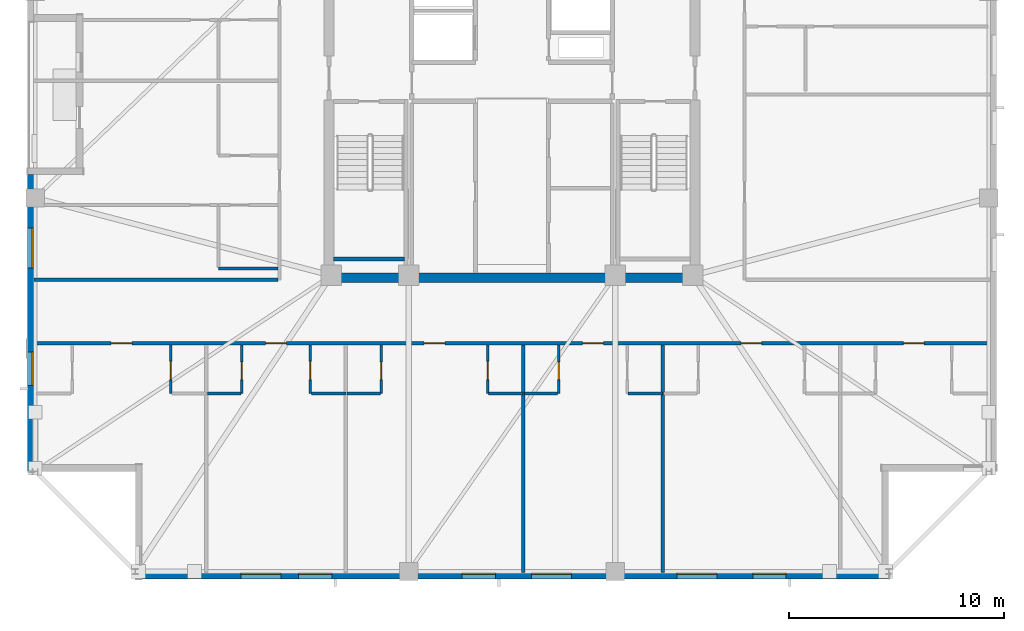
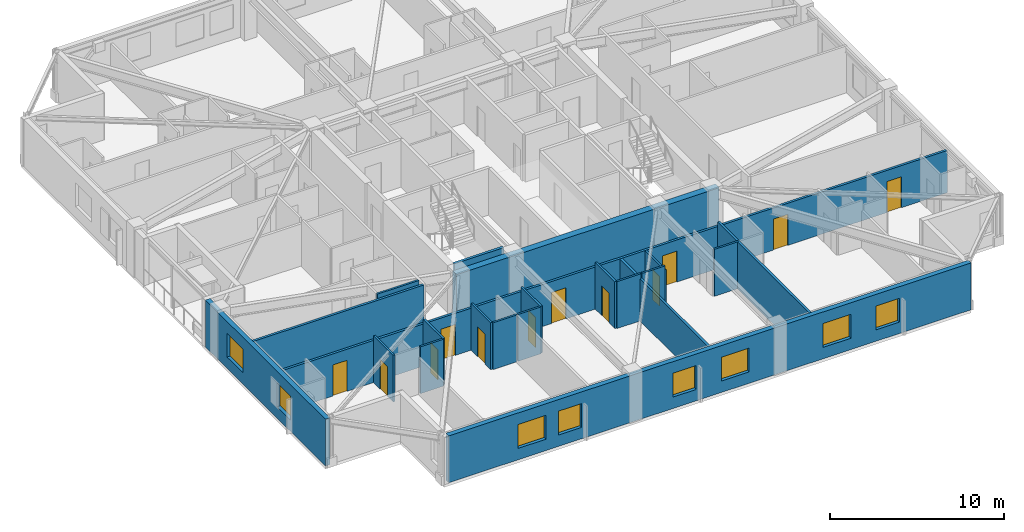
# One storey, part 7 of 17: 21 walls, 12 doors, 8 windows, 20 openings.
"""IFC4 building model written with IfcOpenShell, lengths in metres."""

from ifc_helpers import new_model, si_unit, direction, frame, frame_2d, origin, place, context, subcontext, project, spatial, rectangle, extrude, material, layer, layer_set, type_object, element, fill, save


model = new_model("IFC4")

# Units and contexts
model_context = context("Model", 3, precision=1e-05, world=origin(), true_north=direction((0.0, 1.0)))
body_context = subcontext(model_context, "Body", "Model", "MODEL_VIEW")
ifc_project = project(units=[si_unit("LENGTHUNIT", "METRE"), si_unit("AREAUNIT", "SQUARE_METRE"), si_unit("VOLUMEUNIT", "CUBIC_METRE"), si_unit("PLANEANGLEUNIT", "RADIAN"), si_unit("MASSUNIT", "GRAM", prefix="KILO")], contexts=[model_context])

# Site, building, storey
site_placement = place(None, origin())
site = spatial("IfcSite", under=ifc_project, at=site_placement, CompositionType="ELEMENT")
building_placement = place(site_placement, origin())
building = spatial("IfcBuilding", under=site, at=building_placement, Name="Cairnveth Concourse Tower", CompositionType="ELEMENT")
storey_placement = place(building_placement, frame((0.0, 0.0, 241.0)))
storey = spatial("IfcBuildingStorey", under=building, at=storey_placement, Name="L66", CompositionType="ELEMENT", Elevation=241.0)

# Wall, openings, doors
ifc_material_1 = material(Name="Gypsum Plasterboard Partition", Category="gypsum")
ifc_layer_1 = layer(ifc_material_1, 0.159912109375)
ifc_layer_set_1 = layer_set([ifc_layer_1], Name="Gypsum Plasterboard Partition")
wall_type_1 = type_object("IfcWallType", Name="ACOUSTIC PARTY WALL 180", PredefinedType="PARTITIONING", material=ifc_layer_set_1)
wall_1_placement = place(storey_placement, frame((29.804931640625, 27.4423828125, 0.0), z_axis=(0.0, 0.0, 1.0), x_axis=(1.0, 0.0, 0.0)))
wall_1 = element("IfcWall", 1, at=wall_1_placement, inside=storey, type_object=wall_type_1, Name="Interior Wall IW-L66-034", PredefinedType="PARTITIONING", context=body_context, shape_type="SweptSolid", body=[
    extrude(rectangle(XDim=44.39013671875, YDim=0.159912109375, at=frame_2d((22.195068359375, 0.0))), origin(), (0.0, 0.0, 1.0), 2.9580078125),
])
opening_1_placement = place(wall_1_placement, frame((3.574951171875, 0.0, 0.0)))
opening_1 = element("IfcOpeningElement", 2, at=opening_1_placement, cuts=wall_1, Name="Opening ID10", PredefinedType="OPENING", context=body_context, shape_type="SweptSolid", body=[
    extrude(rectangle(XDim=0.9599609375, YDim=2.179931640625, at=frame_2d((0.47998046875, 1.08984375))), frame((0.0, 0.08984375, 0.0), z_axis=(0.0, -1.0, 0.0), x_axis=(1.0, 0.0, 0.0)), (0.0, 0.0, 1.0), 0.179931640625),
])
opening_2_placement = place(wall_1_placement, frame((10.7548828125, 0.0, 0.0)))
opening_2 = element("IfcOpeningElement", 3, at=opening_2_placement, cuts=wall_1, Name="Opening ID10", PredefinedType="OPENING", context=body_context, shape_type="SweptSolid", body=[
    extrude(rectangle(XDim=0.9599609375, YDim=2.179931640625, at=frame_2d((0.47998046875, 1.08984375))), frame((0.0, 0.08984375, 0.0), z_axis=(0.0, -1.0, 0.0), x_axis=(1.0, 0.0, 0.0)), (0.0, 0.0, 1.0), 0.179931640625),
])
opening_3_placement = place(wall_1_placement, frame((18.114990234375, 0.0, 0.0)))
opening_3 = element("IfcOpeningElement", 4, at=opening_3_placement, cuts=wall_1, Name="Opening ID10", PredefinedType="OPENING", context=body_context, shape_type="SweptSolid", body=[
    extrude(rectangle(XDim=0.9599609375, YDim=2.179931640625, at=frame_2d((0.47998046875, 1.08984375))), frame((0.0, 0.08984375, 0.0), z_axis=(0.0, -1.0, 0.0), x_axis=(1.0, 0.0, 0.0)), (0.0, 0.0, 1.0), 0.179931640625),
])
opening_4_placement = place(wall_1_placement, frame((25.47509765625, 0.0, 0.0)))
opening_4 = element("IfcOpeningElement", 5, at=opening_4_placement, cuts=wall_1, Name="Opening ID10", PredefinedType="OPENING", context=body_context, shape_type="SweptSolid", body=[
    extrude(rectangle(XDim=0.9599609375, YDim=2.179931640625, at=frame_2d((0.47998046875, 1.08984375))), frame((0.0, 0.08984375, 0.0), z_axis=(0.0, -1.0, 0.0), x_axis=(1.0, 0.0, 0.0)), (0.0, 0.0, 1.0), 0.179931640625),
])
opening_5_placement = place(wall_1_placement, frame((32.8349609375, 0.0, 0.0)))
opening_5 = element("IfcOpeningElement", 6, at=opening_5_placement, cuts=wall_1, Name="Opening ID10", PredefinedType="OPENING", context=body_context, shape_type="SweptSolid", body=[
    extrude(rectangle(XDim=0.9599609375, YDim=2.179931640625, at=frame_2d((0.47998046875, 1.08984375))), frame((0.0, 0.08984375, 0.0), z_axis=(0.0, -1.0, 0.0), x_axis=(1.0, 0.0, 0.0)), (0.0, 0.0, 1.0), 0.179931640625),
])
opening_6_placement = place(wall_1_placement, frame((40.375, 0.0, 0.0)))
opening_6 = element("IfcOpeningElement", 7, at=opening_6_placement, cuts=wall_1, Name="Opening ID10", PredefinedType="OPENING", context=body_context, shape_type="SweptSolid", body=[
    extrude(rectangle(XDim=0.9599609375, YDim=2.179931640625, at=frame_2d((0.47998046875, 1.08984375))), frame((0.0, 0.08984375, 0.0), z_axis=(0.0, -1.0, 0.0), x_axis=(1.0, 0.0, 0.0)), (0.0, 0.0, 1.0), 0.179931640625),
])
ifc_material_2 = material(Name="Solid Core Hardwood Timber Leaf", Category="wood")
door_type_1 = type_object("IfcDoorType", Name="FLAT ENTRANCE DOOR 960X2150", OperationType="NOTDEFINED", PredefinedType="DOOR", material=ifc_material_2)
door_1_placement = place(opening_1_placement, origin())
door_1 = element("IfcDoor", 8, at=door_1_placement, inside=storey, type_object=door_type_1, Name="Studio L66STS1 Entrance Door", OperationType="SINGLE_SWING_LEFT", OverallHeight=2.179931640625, OverallWidth=0.9599609375, PredefinedType="DOOR", context=body_context, shape_type="SweptSolid", body=[
    extrude(rectangle(XDim=0.9599609375, YDim=2.179931640625, at=frame_2d((0.47998046875, 1.08984375))), frame((0.0, 0.02490234375, 0.0), z_axis=(0.0, -1.0, 0.0), x_axis=(1.0, 0.0, 0.0)), (0.0, 0.0, 1.0), 0.050048828125),
])
fill(opening_1, door_1)
door_2_placement = place(opening_2_placement, origin())
door_2 = element("IfcDoor", 9, at=door_2_placement, inside=storey, type_object=door_type_1, Name="Studio L66STS2 Entrance Door", OperationType="SINGLE_SWING_RIGHT", OverallHeight=2.179931640625, OverallWidth=0.9599609375, PredefinedType="DOOR", context=body_context, shape_type="SweptSolid", body=[
    extrude(rectangle(XDim=0.9599609375, YDim=2.179931640625, at=frame_2d((0.47998046875, 1.08984375))), frame((0.0, 0.02490234375, 0.0), z_axis=(0.0, -1.0, 0.0), x_axis=(1.0, 0.0, 0.0)), (0.0, 0.0, 1.0), 0.050048828125),
])
fill(opening_2, door_2)
door_3_placement = place(opening_3_placement, origin())
door_3 = element("IfcDoor", 10, at=door_3_placement, inside=storey, type_object=door_type_1, Name="Studio L66STS3 Entrance Door", OperationType="SINGLE_SWING_LEFT", OverallHeight=2.179931640625, OverallWidth=0.9599609375, PredefinedType="DOOR", context=body_context, shape_type="SweptSolid", body=[
    extrude(rectangle(XDim=0.9599609375, YDim=2.179931640625, at=frame_2d((0.47998046875, 1.08984375))), frame((0.0, 0.02490234375, 0.0), z_axis=(0.0, -1.0, 0.0), x_axis=(1.0, 0.0, 0.0)), (0.0, 0.0, 1.0), 0.050048828125),
])
fill(opening_3, door_3)
door_4_placement = place(opening_4_placement, origin())
door_4 = element("IfcDoor", 11, at=door_4_placement, inside=storey, type_object=door_type_1, Name="Studio L66STS4 Entrance Door", OperationType="SINGLE_SWING_RIGHT", OverallHeight=2.179931640625, OverallWidth=0.9599609375, PredefinedType="DOOR", context=body_context, shape_type="SweptSolid", body=[
    extrude(rectangle(XDim=0.9599609375, YDim=2.179931640625, at=frame_2d((0.47998046875, 1.08984375))), frame((0.0, 0.02490234375, 0.0), z_axis=(0.0, -1.0, 0.0), x_axis=(1.0, 0.0, 0.0)), (0.0, 0.0, 1.0), 0.050048828125),
])
fill(opening_4, door_4)
door_5_placement = place(opening_5_placement, origin())
door_5 = element("IfcDoor", 12, at=door_5_placement, inside=storey, type_object=door_type_1, Name="Studio L66STS5 Entrance Door", OperationType="SINGLE_SWING_LEFT", OverallHeight=2.179931640625, OverallWidth=0.9599609375, PredefinedType="DOOR", context=body_context, shape_type="SweptSolid", body=[
    extrude(rectangle(XDim=0.9599609375, YDim=2.179931640625, at=frame_2d((0.47998046875, 1.08984375))), frame((0.0, 0.02490234375, 0.0), z_axis=(0.0, -1.0, 0.0), x_axis=(1.0, 0.0, 0.0)), (0.0, 0.0, 1.0), 0.050048828125),
])
fill(opening_5, door_5)
door_6_placement = place(opening_6_placement, origin())
door_6 = element("IfcDoor", 13, at=door_6_placement, inside=storey, type_object=door_type_1, Name="Studio L66STS6 Entrance Door", OperationType="SINGLE_SWING_RIGHT", OverallHeight=2.179931640625, OverallWidth=0.9599609375, PredefinedType="DOOR", context=body_context, shape_type="SweptSolid", body=[
    extrude(rectangle(XDim=0.9599609375, YDim=2.179931640625, at=frame_2d((0.47998046875, 1.08984375))), frame((0.0, 0.02490234375, 0.0), z_axis=(0.0, -1.0, 0.0), x_axis=(1.0, 0.0, 0.0)), (0.0, 0.0, 1.0), 0.050048828125),
])
fill(opening_6, door_6)

# Walls
wall_2_placement = place(storey_placement, frame((29.804931640625, 30.39990234375, 0.0), z_axis=(0.0, 0.0, 1.0), x_axis=(1.0, 0.0, 0.0)))
element("IfcWall", 14, at=wall_2_placement, inside=storey, type_object=wall_type_1, Name="Interior Wall IW-L66-038", PredefinedType="PARTITIONING", context=body_context, shape_type="SweptSolid", body=[
    extrude(rectangle(XDim=11.330078125, YDim=0.159912109375, at=frame_2d((5.6650390625, 0.0))), origin(), (0.0, 0.0, 1.0), 3.2900390625),
])
wall_3_placement = place(storey_placement, frame((52.52001953125, 16.804931640625, 0.0), z_axis=(0.0, 0.0, 1.0), x_axis=(0.0, 1.0, 0.0)))
element("IfcWall", 15, at=wall_3_placement, inside=storey, type_object=wall_type_1, Name="Interior Wall IW-L66-056", PredefinedType="PARTITIONING", context=body_context, shape_type="SweptSolid", body=[
    extrude(rectangle(XDim=10.5576171875, YDim=0.159912109375, at=frame_2d((5.27880859375, 0.0))), origin(), (0.0, 0.0, 1.0), 2.9580078125),
])
wall_4_placement = place(storey_placement, frame((59.0, 16.804931640625, 0.0), z_axis=(0.0, 0.0, 1.0), x_axis=(0.0, 1.0, 0.0)))
element("IfcWall", 16, at=wall_4_placement, inside=storey, type_object=wall_type_1, Name="Interior Wall IW-L66-061", PredefinedType="PARTITIONING", context=body_context, shape_type="SweptSolid", body=[
    extrude(rectangle(XDim=10.5576171875, YDim=0.159912109375, at=frame_2d((5.27880859375, 0.0))), origin(), (0.0, 0.0, 1.0), 3.2900390625),
])
ifc_material_3 = material(Name="Concrete N65 (65 MPa)", Category="concrete")
ifc_layer_2 = layer(ifc_material_3, 0.449951171875)
ifc_layer_set_2 = layer_set([ifc_layer_2], Name="Concrete N65 (65 MPa)")
wall_type_2 = type_object("IfcWallType", Name="CORE SHEAR WALL 450", PredefinedType="SHEAR", material=ifc_layer_set_2)
wall_5_placement = place(storey_placement, frame((43.27490234375, 30.5, 0.0), z_axis=(0.0, 0.0, 1.0), x_axis=(1.0, 0.0, 0.0)))
element("IfcWall", 17, at=wall_5_placement, inside=storey, type_object=wall_type_2, Name="Core South Shear Wall L66", PredefinedType="SHEAR", context=body_context, shape_type="SweptSolid", body=[
    extrude(rectangle(XDim=17.4501953125, YDim=0.449951171875, at=frame_2d((8.72509765625, 0.0))), origin(), (0.0, 0.0, 1.0), 3.2900390625),
])
ifc_material_4 = material(Name="Concrete N50 (50 MPa)", Category="concrete")
ifc_layer_3 = layer(ifc_material_4, 0.179931640625)
ifc_layer_set_3 = layer_set([ifc_layer_3], Name="Concrete N50 (50 MPa)")
wall_type_3 = type_object("IfcWallType", Name="FIRE SHAFT WALL 180", PredefinedType="SOLIDWALL", material=ifc_layer_set_3)
wall_6_placement = place(storey_placement, frame((43.715087890625, 31.360107421875, 0.0), z_axis=(0.0, 0.0, 1.0), x_axis=(1.0, 0.0, 0.0)))
element("IfcWall", 18, at=wall_6_placement, inside=storey, type_object=wall_type_3, Name="Stair ST-1 Shaft Wall FAR L66", PredefinedType="SOLIDWALL", context=body_context, shape_type="SweptSolid", body=[
    extrude(rectangle(XDim=3.280029296875, YDim=0.179931640625, at=frame_2d((1.64013671875, 0.0))), origin(), (0.0, 0.0, 1.0), 3.2900390625),
])

# Wall, opening, door
ifc_layer_4 = layer(ifc_material_1, 0.1298828125)
ifc_layer_set_4 = layer_set([ifc_layer_4], Name="Gypsum Plasterboard Partition")
wall_type_4 = type_object("IfcWallType", Name="WET AREA PARTITION 140", PredefinedType="PLUMBINGWALL", material=ifc_layer_set_4)
wall_7_placement = place(storey_placement, frame((36.14990234375, 25.112548828125, 0.0), z_axis=(0.0, 0.0, 1.0), x_axis=(0.0, 1.0, 0.0)))
wall_7 = element("IfcWall", 19, at=wall_7_placement, inside=storey, type_object=wall_type_4, Name="Interior Wall IW-L66-044", PredefinedType="PLUMBINGWALL", context=body_context, shape_type="SweptSolid", body=[
    extrude(rectangle(XDim=2.25, YDim=0.1298828125, at=frame_2d((1.125, 0.0))), origin(), (0.0, 0.0, 1.0), 3.2900390625),
])
opening_7_placement = place(wall_7_placement, frame((0.64990234375, 0.0, 0.0)))
opening_7 = element("IfcOpeningElement", 20, at=opening_7_placement, cuts=wall_7, Name="Opening ID20", PredefinedType="OPENING", context=body_context, shape_type="SweptSolid", body=[
    extrude(rectangle(XDim=0.85009765625, YDim=2.10009765625, at=frame_2d((0.425048828125, 1.050048828125))), frame((0.0, 0.074951171875, 0.0), z_axis=(0.0, -1.0, 0.0), x_axis=(1.0, 0.0, 0.0)), (0.0, 0.0, 1.0), 0.14990234375),
])
door_type_2 = type_object("IfcDoorType", Name="INTERIOR SINGLE DOOR 850X2100", OperationType="NOTDEFINED", PredefinedType="DOOR", material=ifc_material_2)
door_7_placement = place(opening_7_placement, origin())
door_7 = element("IfcDoor", 21, at=door_7_placement, inside=storey, type_object=door_type_2, Name="L66STS1 Kitchen Door", OperationType="SINGLE_SWING_RIGHT", OverallHeight=2.10009765625, OverallWidth=0.85009765625, PredefinedType="DOOR", context=body_context, shape_type="SweptSolid", body=[
    extrude(rectangle(XDim=0.85009765625, YDim=2.10009765625, at=frame_2d((0.425048828125, 1.050048828125))), frame((0.0, 0.02490234375, 0.0), z_axis=(0.0, -1.0, 0.0), x_axis=(1.0, 0.0, 0.0)), (0.0, 0.0, 1.0), 0.050048828125),
])
fill(opening_7, door_7)

wall_8_placement = place(storey_placement, frame((39.449951171875, 25.112548828125, 0.0), z_axis=(0.0, 0.0, 1.0), x_axis=(0.0, 1.0, 0.0)))
wall_8 = element("IfcWall", 22, at=wall_8_placement, inside=storey, type_object=wall_type_4, Name="Interior Wall IW-L66-047", PredefinedType="PLUMBINGWALL", context=body_context, shape_type="SweptSolid", body=[
    extrude(rectangle(XDim=2.25, YDim=0.1298828125, at=frame_2d((1.125, 0.0))), origin(), (0.0, 0.0, 1.0), 3.2900390625),
])
opening_8_placement = place(wall_8_placement, frame((0.64990234375, 0.0, 0.0)))
opening_8 = element("IfcOpeningElement", 23, at=opening_8_placement, cuts=wall_8, Name="Opening ID22", PredefinedType="OPENING", context=body_context, shape_type="SweptSolid", body=[
    extrude(rectangle(XDim=0.820068359375, YDim=2.10009765625, at=frame_2d((0.41015625, 1.050048828125))), frame((0.0, 0.074951171875, 0.0), z_axis=(0.0, -1.0, 0.0), x_axis=(1.0, 0.0, 0.0)), (0.0, 0.0, 1.0), 0.14990234375),
])
door_type_3 = type_object("IfcDoorType", Name="INTERIOR WC DOOR 820X2100", OperationType="NOTDEFINED", PredefinedType="DOOR", material=ifc_material_2)
door_8_placement = place(opening_8_placement, origin())
door_8 = element("IfcDoor", 24, at=door_8_placement, inside=storey, type_object=door_type_3, Name="L66STS2 Bathroom Door", OperationType="SINGLE_SWING_RIGHT", OverallHeight=2.10009765625, OverallWidth=0.820068359375, PredefinedType="DOOR", context=body_context, shape_type="SweptSolid", body=[
    extrude(rectangle(XDim=0.820068359375, YDim=2.10009765625, at=frame_2d((0.41015625, 1.050048828125))), frame((0.0, 0.02490234375, 0.0), z_axis=(0.0, -1.0, 0.0), x_axis=(1.0, 0.0, 0.0)), (0.0, 0.0, 1.0), 0.050048828125),
])
fill(opening_8, door_8)

# Wall
wall_9_placement = place(storey_placement, frame((37.864990234375, 25.112548828125, 0.0), z_axis=(0.0, 0.0, 1.0), x_axis=(1.0, 0.0, 0.0)))
element("IfcWall", 25, at=wall_9_placement, inside=storey, type_object=wall_type_4, Name="Interior Wall IW-L66-048", PredefinedType="PLUMBINGWALL", context=body_context, shape_type="SweptSolid", body=[
    extrude(rectangle(XDim=1.534912109375, YDim=0.1298828125, at=frame_2d((0.767578125, 0.0))), origin(), (0.0, 0.0, 1.0), 3.2900390625),
])

# Wall, opening, door
wall_10_placement = place(storey_placement, frame((42.6298828125, 25.112548828125, 0.0), z_axis=(0.0, 0.0, 1.0), x_axis=(0.0, 1.0, 0.0)))
wall_10 = element("IfcWall", 26, at=wall_10_placement, inside=storey, type_object=wall_type_4, Name="Interior Wall IW-L66-049", PredefinedType="PLUMBINGWALL", context=body_context, shape_type="SweptSolid", body=[
    extrude(rectangle(XDim=2.25, YDim=0.1298828125, at=frame_2d((1.125, 0.0))), origin(), (0.0, 0.0, 1.0), 3.2900390625),
])
opening_9_placement = place(wall_10_placement, frame((0.64990234375, 0.0, 0.0)))
opening_9 = element("IfcOpeningElement", 27, at=opening_9_placement, cuts=wall_10, Name="Opening ID20", PredefinedType="OPENING", context=body_context, shape_type="SweptSolid", body=[
    extrude(rectangle(XDim=0.85009765625, YDim=2.10009765625, at=frame_2d((0.425048828125, 1.050048828125))), frame((0.0, 0.074951171875, 0.0), z_axis=(0.0, -1.0, 0.0), x_axis=(1.0, 0.0, 0.0)), (0.0, 0.0, 1.0), 0.14990234375),
])
door_9_placement = place(opening_9_placement, origin())
door_9 = element("IfcDoor", 28, at=door_9_placement, inside=storey, type_object=door_type_2, Name="L66STS2 Kitchen Door", OperationType="SINGLE_SWING_LEFT", OverallHeight=2.10009765625, OverallWidth=0.85009765625, PredefinedType="DOOR", context=body_context, shape_type="SweptSolid", body=[
    extrude(rectangle(XDim=0.85009765625, YDim=2.10009765625, at=frame_2d((0.425048828125, 1.050048828125))), frame((0.0, 0.02490234375, 0.0), z_axis=(0.0, -1.0, 0.0), x_axis=(1.0, 0.0, 0.0)), (0.0, 0.0, 1.0), 0.050048828125),
])
fill(opening_9, door_9)

# Wall
wall_11_placement = place(storey_placement, frame((42.679931640625, 25.112548828125, 0.0), z_axis=(0.0, 0.0, 1.0), x_axis=(1.0, 0.0, 0.0)))
element("IfcWall", 29, at=wall_11_placement, inside=storey, type_object=wall_type_4, Name="Interior Wall IW-L66-050", PredefinedType="PLUMBINGWALL", context=body_context, shape_type="SweptSolid", body=[
    extrude(rectangle(XDim=1.60009765625, YDim=0.1298828125, at=frame_2d((0.800048828125, 0.0))), origin(), (0.0, 0.0, 1.0), 3.2900390625),
])

# Wall, opening, door
wall_12_placement = place(storey_placement, frame((45.929931640625, 25.112548828125, 0.0), z_axis=(0.0, 0.0, 1.0), x_axis=(0.0, 1.0, 0.0)))
wall_12 = element("IfcWall", 30, at=wall_12_placement, inside=storey, type_object=wall_type_4, Name="Interior Wall IW-L66-052", PredefinedType="PLUMBINGWALL", context=body_context, shape_type="SweptSolid", body=[
    extrude(rectangle(XDim=2.25, YDim=0.1298828125, at=frame_2d((1.125, 0.0))), origin(), (0.0, 0.0, 1.0), 3.2900390625),
])
opening_10_placement = place(wall_12_placement, frame((0.64990234375, 0.0, 0.0)))
opening_10 = element("IfcOpeningElement", 31, at=opening_10_placement, cuts=wall_12, Name="Opening ID22", PredefinedType="OPENING", context=body_context, shape_type="SweptSolid", body=[
    extrude(rectangle(XDim=0.820068359375, YDim=2.10009765625, at=frame_2d((0.41015625, 1.050048828125))), frame((0.0, 0.074951171875, 0.0), z_axis=(0.0, -1.0, 0.0), x_axis=(1.0, 0.0, 0.0)), (0.0, 0.0, 1.0), 0.14990234375),
])
door_10_placement = place(opening_10_placement, origin())
door_10 = element("IfcDoor", 32, at=door_10_placement, inside=storey, type_object=door_type_3, Name="L66STS3 Bathroom Door", OperationType="SINGLE_SWING_LEFT", OverallHeight=2.10009765625, OverallWidth=0.820068359375, PredefinedType="DOOR", context=body_context, shape_type="SweptSolid", body=[
    extrude(rectangle(XDim=0.820068359375, YDim=2.10009765625, at=frame_2d((0.41015625, 1.050048828125))), frame((0.0, 0.02490234375, 0.0), z_axis=(0.0, -1.0, 0.0), x_axis=(1.0, 0.0, 0.0)), (0.0, 0.0, 1.0), 0.050048828125),
])
fill(opening_10, door_10)

# Wall
wall_13_placement = place(storey_placement, frame((44.344970703125, 25.112548828125, 0.0), z_axis=(0.0, 0.0, 1.0), x_axis=(1.0, 0.0, 0.0)))
element("IfcWall", 33, at=wall_13_placement, inside=storey, type_object=wall_type_4, Name="Interior Wall IW-L66-053", PredefinedType="PLUMBINGWALL", context=body_context, shape_type="SweptSolid", body=[
    extrude(rectangle(XDim=1.534912109375, YDim=0.1298828125, at=frame_2d((0.767578125, 0.0))), origin(), (0.0, 0.0, 1.0), 3.2900390625),
])

# Wall, opening, door
wall_14_placement = place(storey_placement, frame((50.8701171875, 25.112548828125, 0.0), z_axis=(0.0, 0.0, 1.0), x_axis=(0.0, 1.0, 0.0)))
wall_14 = element("IfcWall", 34, at=wall_14_placement, inside=storey, type_object=wall_type_4, Name="Interior Wall IW-L66-054", PredefinedType="PLUMBINGWALL", context=body_context, shape_type="SweptSolid", body=[
    extrude(rectangle(XDim=2.25, YDim=0.1298828125, at=frame_2d((1.125, 0.0))), origin(), (0.0, 0.0, 1.0), 3.2900390625),
])
opening_11_placement = place(wall_14_placement, frame((0.64990234375, 0.0, 0.0)))
opening_11 = element("IfcOpeningElement", 35, at=opening_11_placement, cuts=wall_14, Name="Opening ID20", PredefinedType="OPENING", context=body_context, shape_type="SweptSolid", body=[
    extrude(rectangle(XDim=0.85009765625, YDim=2.10009765625, at=frame_2d((0.425048828125, 1.050048828125))), frame((0.0, 0.074951171875, 0.0), z_axis=(0.0, -1.0, 0.0), x_axis=(1.0, 0.0, 0.0)), (0.0, 0.0, 1.0), 0.14990234375),
])
door_11_placement = place(opening_11_placement, origin())
door_11 = element("IfcDoor", 36, at=door_11_placement, inside=storey, type_object=door_type_2, Name="L66STS3 Kitchen Door", OperationType="SINGLE_SWING_RIGHT", OverallHeight=2.10009765625, OverallWidth=0.85009765625, PredefinedType="DOOR", context=body_context, shape_type="SweptSolid", body=[
    extrude(rectangle(XDim=0.85009765625, YDim=2.10009765625, at=frame_2d((0.425048828125, 1.050048828125))), frame((0.0, 0.02490234375, 0.0), z_axis=(0.0, -1.0, 0.0), x_axis=(1.0, 0.0, 0.0)), (0.0, 0.0, 1.0), 0.050048828125),
])
fill(opening_11, door_11)

# Wall
wall_15_placement = place(storey_placement, frame((50.919921875, 25.112548828125, 0.0), z_axis=(0.0, 0.0, 1.0), x_axis=(1.0, 0.0, 0.0)))
element("IfcWall", 37, at=wall_15_placement, inside=storey, type_object=wall_type_4, Name="Interior Wall IW-L66-055", PredefinedType="PLUMBINGWALL", context=body_context, shape_type="SweptSolid", body=[
    extrude(rectangle(XDim=1.60009765625, YDim=0.1298828125, at=frame_2d((0.800048828125, 0.0))), origin(), (0.0, 0.0, 1.0), 3.2900390625),
])

# Wall, opening, door
wall_16_placement = place(storey_placement, frame((54.169921875, 25.112548828125, 0.0), z_axis=(0.0, 0.0, 1.0), x_axis=(0.0, 1.0, 0.0)))
wall_16 = element("IfcWall", 38, at=wall_16_placement, inside=storey, type_object=wall_type_4, Name="Interior Wall IW-L66-057", PredefinedType="PLUMBINGWALL", context=body_context, shape_type="SweptSolid", body=[
    extrude(rectangle(XDim=2.25, YDim=0.1298828125, at=frame_2d((1.125, 0.0))), origin(), (0.0, 0.0, 1.0), 2.9580078125),
])
opening_12_placement = place(wall_16_placement, frame((0.64990234375, 0.0, 0.0)))
opening_12 = element("IfcOpeningElement", 39, at=opening_12_placement, cuts=wall_16, Name="Opening ID22", PredefinedType="OPENING", context=body_context, shape_type="SweptSolid", body=[
    extrude(rectangle(XDim=0.820068359375, YDim=2.10009765625, at=frame_2d((0.41015625, 1.050048828125))), frame((0.0, 0.074951171875, 0.0), z_axis=(0.0, -1.0, 0.0), x_axis=(1.0, 0.0, 0.0)), (0.0, 0.0, 1.0), 0.14990234375),
])
door_12_placement = place(opening_12_placement, origin())
door_12 = element("IfcDoor", 40, at=door_12_placement, inside=storey, type_object=door_type_3, Name="L66STS4 Bathroom Door", OperationType="SINGLE_SWING_RIGHT", OverallHeight=2.10009765625, OverallWidth=0.820068359375, PredefinedType="DOOR", context=body_context, shape_type="SweptSolid", body=[
    extrude(rectangle(XDim=0.820068359375, YDim=2.10009765625, at=frame_2d((0.41015625, 1.050048828125))), frame((0.0, 0.02490234375, 0.0), z_axis=(0.0, -1.0, 0.0), x_axis=(1.0, 0.0, 0.0)), (0.0, 0.0, 1.0), 0.050048828125),
])
fill(opening_12, door_12)

# Walls
wall_17_placement = place(storey_placement, frame((52.5849609375, 25.112548828125, 0.0), z_axis=(0.0, 0.0, 1.0), x_axis=(1.0, 0.0, 0.0)))
element("IfcWall", 41, at=wall_17_placement, inside=storey, type_object=wall_type_4, Name="Interior Wall IW-L66-058", PredefinedType="PLUMBINGWALL", context=body_context, shape_type="SweptSolid", body=[
    extrude(rectangle(XDim=1.53515625, YDim=0.1298828125, at=frame_2d((0.767578125, 0.0))), origin(), (0.0, 0.0, 1.0), 3.2900390625),
])
wall_18_placement = place(storey_placement, frame((57.39990234375, 25.112548828125, 0.0), z_axis=(0.0, 0.0, 1.0), x_axis=(1.0, 0.0, 0.0)))
element("IfcWall", 42, at=wall_18_placement, inside=storey, type_object=wall_type_4, Name="Interior Wall IW-L66-060", PredefinedType="PLUMBINGWALL", context=body_context, shape_type="SweptSolid", body=[
    extrude(rectangle(XDim=1.60009765625, YDim=0.1298828125, at=frame_2d((0.800048828125, 0.0))), origin(), (0.0, 0.0, 1.0), 3.2900390625),
])
wall_19_placement = place(storey_placement, frame((38.3701171875, 30.925048828125, 0.0), z_axis=(0.0, 0.0, 1.0), x_axis=(1.0, 0.0, 0.0)))
element("IfcWall", 43, at=wall_19_placement, inside=storey, type_object=wall_type_4, Name="Interior Wall IW-L66-096", PredefinedType="PLUMBINGWALL", context=body_context, shape_type="SweptSolid", body=[
    extrude(rectangle(XDim=2.75, YDim=0.1298828125, at=frame_2d((1.375, 0.0))), origin(), (0.0, 0.0, 1.0), 3.2900390625),
])

# Wall, openings, windows
ifc_material_5 = material(Name="Melbourne Buff Fired Clay Brick Masonry", Category="masonry")
ifc_layer_5 = layer(ifc_material_5, 0.320068359375)
ifc_layer_set_5 = layer_set([ifc_layer_5], Name="Melbourne Buff Fired Clay Brick Masonry")
wall_type_5 = type_object("IfcWallType", Name="ZONE 3 BRICK PIER SPANDREL WALL 320", PredefinedType="SOLIDWALL", material=ifc_layer_set_5)
wall_20_placement = place(storey_placement, frame((69.5, 16.659912109375, 0.0), z_axis=(0.0, 0.0, 1.0), x_axis=(-1.0, 0.0, 0.0)))
wall_20 = element("IfcWall", 44, at=wall_20_placement, inside=storey, type_object=wall_type_5, Name="Exterior Wall EW-L66-S09", PredefinedType="SOLIDWALL", context=body_context, shape_type="SweptSolid", body=[
    extrude(rectangle(XDim=34.701904296875, YDim=0.320068359375, at=frame_2d((17.35107421875, 0.0))), origin(), (0.0, 0.0, 1.0), 3.2900390625),
])
opening_13_placement = place(wall_20_placement, frame((4.7626953125, 0.0, 0.800048828125)))
opening_13 = element("IfcOpeningElement", 45, at=opening_13_placement, cuts=wall_20, Name="Opening W07", PredefinedType="OPENING", context=body_context, shape_type="SweptSolid", body=[
    extrude(rectangle(XDim=1.550048828125, YDim=1.677978515625, at=frame_2d((0.77490234375, 0.8388671875))), frame((0.0, 0.169921875, 0.0), z_axis=(0.0, -1.0, 0.0), x_axis=(1.0, 0.0, 0.0)), (0.0, 0.0, 1.0), 0.340087890625),
])
opening_14_placement = place(wall_20_placement, frame((7.98779296875, 0.0, 0.800048828125)))
opening_14 = element("IfcOpeningElement", 46, at=opening_14_placement, cuts=wall_20, Name="Opening W08", PredefinedType="OPENING", context=body_context, shape_type="SweptSolid", body=[
    extrude(rectangle(XDim=1.85009765625, YDim=1.677978515625, at=frame_2d((0.925048828125, 0.8388671875))), frame((0.0, 0.169921875, 0.0), z_axis=(0.0, -1.0, 0.0), x_axis=(1.0, 0.0, 0.0)), (0.0, 0.0, 1.0), 0.340087890625),
])
opening_15_placement = place(wall_20_placement, frame((14.73828125, 0.0, 0.800048828125)))
opening_15 = element("IfcOpeningElement", 47, at=opening_15_placement, cuts=wall_20, Name="Opening W08", PredefinedType="OPENING", context=body_context, shape_type="SweptSolid", body=[
    extrude(rectangle(XDim=1.85009765625, YDim=1.677978515625, at=frame_2d((0.925048828125, 0.8388671875))), frame((0.0, 0.169921875, 0.0), z_axis=(0.0, -1.0, 0.0), x_axis=(1.0, 0.0, 0.0)), (0.0, 0.0, 1.0), 0.340087890625),
])
opening_16_placement = place(wall_20_placement, frame((18.263671875, 0.0, 0.800048828125)))
opening_16 = element("IfcOpeningElement", 48, at=opening_16_placement, cuts=wall_20, Name="Opening W07", PredefinedType="OPENING", context=body_context, shape_type="SweptSolid", body=[
    extrude(rectangle(XDim=1.550048828125, YDim=1.677978515625, at=frame_2d((0.77490234375, 0.8388671875))), frame((0.0, 0.169921875, 0.0), z_axis=(0.0, -1.0, 0.0), x_axis=(1.0, 0.0, 0.0)), (0.0, 0.0, 1.0), 0.340087890625),
])
opening_17_placement = place(wall_20_placement, frame((25.864013671875, 0.0, 0.800048828125)))
opening_17 = element("IfcOpeningElement", 49, at=opening_17_placement, cuts=wall_20, Name="Opening W07", PredefinedType="OPENING", context=body_context, shape_type="SweptSolid", body=[
    extrude(rectangle(XDim=1.550048828125, YDim=1.677978515625, at=frame_2d((0.77490234375, 0.8388671875))), frame((0.0, 0.169921875, 0.0), z_axis=(0.0, -1.0, 0.0), x_axis=(1.0, 0.0, 0.0)), (0.0, 0.0, 1.0), 0.340087890625),
])
opening_18_placement = place(wall_20_placement, frame((28.239501953125, 0.0, 0.800048828125)))
opening_18 = element("IfcOpeningElement", 50, at=opening_18_placement, cuts=wall_20, Name="Opening W08", PredefinedType="OPENING", context=body_context, shape_type="SweptSolid", body=[
    extrude(rectangle(XDim=1.85009765625, YDim=1.677978515625, at=frame_2d((0.925048828125, 0.8388671875))), frame((0.0, 0.169921875, 0.0), z_axis=(0.0, -1.0, 0.0), x_axis=(1.0, 0.0, 0.0)), (0.0, 0.0, 1.0), 0.340087890625),
])
ifc_material_6 = material(Name="Double Glazed Low-E Clear Glass", Category="glass")
window_type_1 = type_object("IfcWindowType", Name="DEEP-SET APARTMENT LIVING WINDOW 1850X1850", PartitioningType="DOUBLE_PANEL_VERTICAL", PredefinedType="WINDOW", material=ifc_material_6)
window_1_placement = place(opening_14_placement, origin())
window_1 = element("IfcWindow", 51, at=window_1_placement, inside=storey, type_object=window_type_1, Name="Gothic Lancet Window L66-9-2", OverallHeight=1.677978515625, OverallWidth=1.85009765625, PartitioningType="SINGLE_PANEL", PredefinedType="WINDOW", context=body_context, shape_type="SweptSolid", body=[
    extrude(rectangle(XDim=1.85009765625, YDim=1.677978515625, at=frame_2d((0.925048828125, 0.8388671875))), frame((0.0, -0.050048828125, 0.0), z_axis=(0.0, -1.0, 0.0), x_axis=(1.0, 0.0, 0.0)), (0.0, 0.0, 1.0), 0.06005859375),
])
fill(opening_14, window_1)
window_2_placement = place(opening_15_placement, origin())
window_2 = element("IfcWindow", 52, at=window_2_placement, inside=storey, type_object=window_type_1, Name="Gothic Lancet Window L66-9-4", OverallHeight=1.677978515625, OverallWidth=1.85009765625, PartitioningType="SINGLE_PANEL", PredefinedType="WINDOW", context=body_context, shape_type="SweptSolid", body=[
    extrude(rectangle(XDim=1.85009765625, YDim=1.677978515625, at=frame_2d((0.925048828125, 0.8388671875))), frame((0.0, -0.050048828125, 0.0), z_axis=(0.0, -1.0, 0.0), x_axis=(1.0, 0.0, 0.0)), (0.0, 0.0, 1.0), 0.06005859375),
])
fill(opening_15, window_2)
window_3_placement = place(opening_18_placement, origin())
window_3 = element("IfcWindow", 53, at=window_3_placement, inside=storey, type_object=window_type_1, Name="Gothic Lancet Window L66-9-8", OverallHeight=1.677978515625, OverallWidth=1.85009765625, PartitioningType="SINGLE_PANEL", PredefinedType="WINDOW", context=body_context, shape_type="SweptSolid", body=[
    extrude(rectangle(XDim=1.85009765625, YDim=1.677978515625, at=frame_2d((0.925048828125, 0.8388671875))), frame((0.0, -0.050048828125, 0.0), z_axis=(0.0, -1.0, 0.0), x_axis=(1.0, 0.0, 0.0)), (0.0, 0.0, 1.0), 0.06005859375),
])
fill(opening_18, window_3)
window_type_2 = type_object("IfcWindowType", Name="DEEP-SET APARTMENT WINDOW 1550X1800", PartitioningType="DOUBLE_PANEL_VERTICAL", PredefinedType="WINDOW", material=ifc_material_6)
window_4_placement = place(opening_13_placement, origin())
window_4 = element("IfcWindow", 54, at=window_4_placement, inside=storey, type_object=window_type_2, Name="Gothic Lancet Window L66-9-1", OverallHeight=1.677978515625, OverallWidth=1.550048828125, PartitioningType="SINGLE_PANEL", PredefinedType="WINDOW", context=body_context, shape_type="SweptSolid", body=[
    extrude(rectangle(XDim=1.550048828125, YDim=1.677978515625, at=frame_2d((0.77490234375, 0.8388671875))), frame((0.0, -0.050048828125, 0.0), z_axis=(0.0, -1.0, 0.0), x_axis=(1.0, 0.0, 0.0)), (0.0, 0.0, 1.0), 0.06005859375),
])
fill(opening_13, window_4)
window_5_placement = place(opening_16_placement, origin())
window_5 = element("IfcWindow", 55, at=window_5_placement, inside=storey, type_object=window_type_2, Name="Gothic Lancet Window L66-9-5", OverallHeight=1.677978515625, OverallWidth=1.550048828125, PartitioningType="SINGLE_PANEL", PredefinedType="WINDOW", context=body_context, shape_type="SweptSolid", body=[
    extrude(rectangle(XDim=1.550048828125, YDim=1.677978515625, at=frame_2d((0.77490234375, 0.8388671875))), frame((0.0, -0.050048828125, 0.0), z_axis=(0.0, -1.0, 0.0), x_axis=(1.0, 0.0, 0.0)), (0.0, 0.0, 1.0), 0.06005859375),
])
fill(opening_16, window_5)
window_6_placement = place(opening_17_placement, origin())
window_6 = element("IfcWindow", 56, at=window_6_placement, inside=storey, type_object=window_type_2, Name="Gothic Lancet Window L66-9-7", OverallHeight=1.677978515625, OverallWidth=1.550048828125, PartitioningType="SINGLE_PANEL", PredefinedType="WINDOW", context=body_context, shape_type="SweptSolid", body=[
    extrude(rectangle(XDim=1.550048828125, YDim=1.677978515625, at=frame_2d((0.77490234375, 0.8388671875))), frame((0.0, -0.050048828125, 0.0), z_axis=(0.0, -1.0, 0.0), x_axis=(1.0, 0.0, 0.0)), (0.0, 0.0, 1.0), 0.06005859375),
])
fill(opening_17, window_6)

wall_21_placement = place(storey_placement, frame((29.659912109375, 21.5, 0.0), z_axis=(0.0, 0.0, 1.0), x_axis=(0.0, 1.0, 0.0)))
wall_21 = element("IfcWall", 57, at=wall_21_placement, inside=storey, type_object=wall_type_5, Name="Exterior Wall EW-L66-S12", PredefinedType="SOLIDWALL", context=body_context, shape_type="SweptSolid", body=[
    extrude(rectangle(XDim=13.802001953125, YDim=0.320068359375, at=frame_2d((6.90087890625, 0.0))), origin(), (0.0, 0.0, 1.0), 3.2900390625),
])
opening_19_placement = place(wall_21_placement, frame((4.00048828125, 0.0, 0.800048828125)))
opening_19 = element("IfcOpeningElement", 58, at=opening_19_placement, cuts=wall_21, Name="Opening W07", PredefinedType="OPENING", context=body_context, shape_type="SweptSolid", body=[
    extrude(rectangle(XDim=1.550048828125, YDim=1.677978515625, at=frame_2d((0.77490234375, 0.8388671875))), frame((0.0, 0.169921875, 0.0), z_axis=(0.0, -1.0, 0.0), x_axis=(1.0, 0.0, 0.0)), (0.0, 0.0, 1.0), 0.340087890625),
])
opening_20_placement = place(wall_21_placement, frame((9.451416015625, 0.0, 0.800048828125)))
opening_20 = element("IfcOpeningElement", 59, at=opening_20_placement, cuts=wall_21, Name="Opening W08", PredefinedType="OPENING", context=body_context, shape_type="SweptSolid", body=[
    extrude(rectangle(XDim=1.85009765625, YDim=1.677978515625, at=frame_2d((0.925048828125, 0.8388671875))), frame((0.0, 0.169921875, 0.0), z_axis=(0.0, -1.0, 0.0), x_axis=(1.0, 0.0, 0.0)), (0.0, 0.0, 1.0), 0.340087890625),
])
window_7_placement = place(opening_20_placement, origin())
window_7 = element("IfcWindow", 60, at=window_7_placement, inside=storey, type_object=window_type_1, Name="Gothic Lancet Window L66-12-2", OverallHeight=1.677978515625, OverallWidth=1.85009765625, PartitioningType="SINGLE_PANEL", PredefinedType="WINDOW", context=body_context, shape_type="SweptSolid", body=[
    extrude(rectangle(XDim=1.85009765625, YDim=1.677978515625, at=frame_2d((0.925048828125, 0.8388671875))), frame((0.0, -0.050048828125, 0.0), z_axis=(0.0, -1.0, 0.0), x_axis=(1.0, 0.0, 0.0)), (0.0, 0.0, 1.0), 0.06005859375),
])
fill(opening_20, window_7)
window_8_placement = place(opening_19_placement, origin())
window_8 = element("IfcWindow", 61, at=window_8_placement, inside=storey, type_object=window_type_2, Name="Gothic Lancet Window L66-12-1", OverallHeight=1.677978515625, OverallWidth=1.550048828125, PartitioningType="SINGLE_PANEL", PredefinedType="WINDOW", context=body_context, shape_type="SweptSolid", body=[
    extrude(rectangle(XDim=1.550048828125, YDim=1.677978515625, at=frame_2d((0.77490234375, 0.8388671875))), frame((0.0, -0.050048828125, 0.0), z_axis=(0.0, -1.0, 0.0), x_axis=(1.0, 0.0, 0.0)), (0.0, 0.0, 1.0), 0.06005859375),
])
fill(opening_19, window_8)

save(model, "model.ifc")
